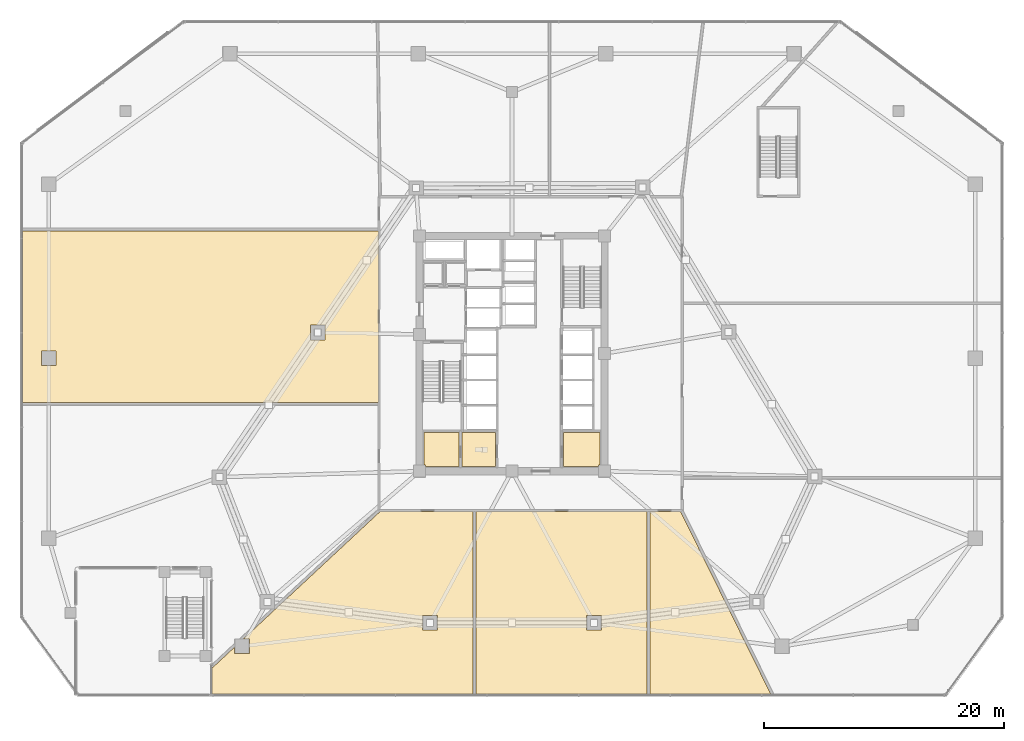
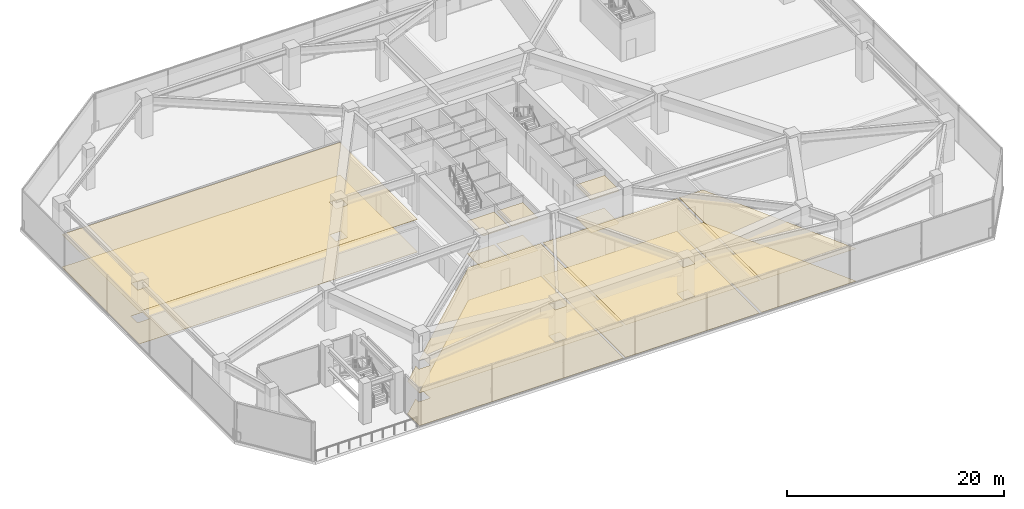
# One storey, part 18 of 23: 14 coverings.
"""IFC4 building model written with IfcOpenShell, lengths in metres."""

import ifcopenshell
import ifcopenshell.guid

model = None  # the IFC model being written
_history = None  # IfcOwnerHistory: only IFC2X3 demands one
_inside = {}  # id of a spatial element -> (the spatial element, [elements in it])
_under = {}  # id of a project, library or spatial element -> (it, [spatial elements below it])
_declared = {}  # id of a project -> (the project, [libraries it declares])
_typed = {}  # id of a type object -> (the type object, [elements of that type])
_made_of = {}  # id of a material, layer set ... -> (it, [elements and type objects made of it])


def new_model(schema):
    """Start an empty IFC model of exactly this schema.

    Asked for "IFC4X3", IfcOpenShell would pick the latest addendum, in which some entities
    have other attributes; the version numbers below select the first issue.
    IFC2X3 requires an IfcOwnerHistory on every rooted entity: one is made here for all.
    """
    global model, _history
    if schema == "IFC4X3":
        model = ifcopenshell.file(schema_version=(4, 3, 0, 0))
    else:
        model = ifcopenshell.file(schema=schema)
    _inside.clear()
    _under.clear()
    _declared.clear()
    _typed.clear()
    _made_of.clear()
    _history = None
    if model.schema == "IFC2X3":
        org = make("IfcOrganization", Name="unknown")
        user = make(
            "IfcPersonAndOrganization",
            ThePerson=make("IfcPerson", FamilyName="unknown"),
            TheOrganization=org,
        )
        app = make(
            "IfcApplication",
            ApplicationDeveloper=org,
            Version="unknown",
            ApplicationFullName="unknown",
            ApplicationIdentifier="unknown",
        )
        _history = make(
            "IfcOwnerHistory",
            OwningUser=user,
            OwningApplication=app,
            ChangeAction="ADDED",
            CreationDate=0,
        )
    return model


def make(cls, **values):
    """One entity of the class cls with the attributes given. An attribute that is None is left unset."""
    return model.create_entity(
        cls, **{name: value for name, value in values.items() if value is not None}
    )


def rooted(cls, **values):
    """An entity with a GlobalId (a new one), such as an element, a storey or a relation."""
    return make(cls, GlobalId=ifcopenshell.guid.new(), OwnerHistory=_history, **values)


def si_unit(unit_type, name, prefix=None):
    """IfcSIUnit, for example si_unit("LENGTHUNIT", "METRE", prefix="MILLI")."""
    return make("IfcSIUnit", UnitType=unit_type, Prefix=prefix, Name=name)


def assignment(units):
    """IfcUnitAssignment: the units of a project."""
    return None if units is None else make("IfcUnitAssignment", Units=units)


def point(xyz):
    """IfcCartesianPoint."""
    return None if xyz is None else make("IfcCartesianPoint", Coordinates=xyz)


def direction(xyz):
    """IfcDirection."""
    return None if xyz is None else make("IfcDirection", DirectionRatios=xyz)


def frame(location, z_axis=None, x_axis=None):
    """IfcAxis2Placement3D, a coordinate frame: its origin and axes. An axis left out is left unset."""
    return make(
        "IfcAxis2Placement3D",
        Location=point(location),
        Axis=direction(z_axis),
        RefDirection=direction(x_axis),
    )


def origin():
    """The frame at (0, 0, 0) with its axes left unset."""
    return frame((0.0, 0.0, 0.0))


def place(relative_to, where):
    """IfcLocalPlacement: puts the frame where relative to a parent placement (None: the world)."""
    return make(
        "IfcLocalPlacement", PlacementRelTo=relative_to, RelativePlacement=where
    )


def context(
    kind, dimensions, precision=None, world=None, true_north=None, identifier=None
):
    """IfcGeometricRepresentationContext, for example the 3D "Model" context."""
    return make(
        "IfcGeometricRepresentationContext",
        ContextIdentifier=identifier,
        ContextType=kind,
        CoordinateSpaceDimension=dimensions,
        Precision=precision,
        WorldCoordinateSystem=world,
        TrueNorth=true_north,
    )


def subcontext(parent, identifier, kind, view, scale=None):
    """IfcGeometricRepresentationSubContext, for example "Body" below "Model"."""
    return make(
        "IfcGeometricRepresentationSubContext",
        ContextIdentifier=identifier,
        ContextType=kind,
        ParentContext=parent,
        TargetScale=scale,
        TargetView=view,
    )


def project(units=None, contexts=None):
    """IfcProject with its units and contexts."""
    return rooted(
        "IfcProject",
        Name="project",
        RepresentationContexts=contexts,
        UnitsInContext=assignment(units),
    )


def spatial(cls, under=None, at=None, **own):
    """A site, building, storey or space (cls), placed at a placement, below another one or the project."""
    s = rooted(cls, ObjectPlacement=at, **own)
    if under is not None:
        _under.setdefault(under.id(), (under, []))[1].append(s)
    return s


def polyline(points):
    """IfcPolyline through the points."""
    return make("IfcPolyline", Points=[point(p) for p in points])


def outline(outer, holes=None, kind="AREA"):
    """IfcArbitraryClosedProfileDef: a profile drawn as a closed curve; with holes, ...WithVoids."""
    if holes is None:
        return make("IfcArbitraryClosedProfileDef", ProfileType=kind, OuterCurve=outer)
    return make(
        "IfcArbitraryProfileDefWithVoids",
        ProfileType=kind,
        OuterCurve=outer,
        InnerCurves=holes,
    )


def extrude(swept, where, along, depth):
    """IfcExtrudedAreaSolid: the profile swept, set in the frame where, extruded along a direction by depth."""
    return make(
        "IfcExtrudedAreaSolid",
        SweptArea=swept,
        Position=where,
        ExtrudedDirection=direction(along),
        Depth=depth,
    )


def shape(context_of_items, identifier, shape_type, items):
    """IfcShapeRepresentation: the items that make up one representation, for example the "Body"."""
    return make(
        "IfcShapeRepresentation",
        ContextOfItems=context_of_items,
        RepresentationIdentifier=identifier,
        RepresentationType=shape_type,
        Items=items,
    )


def material(Name=None, Category=None):
    """IfcMaterial."""
    return make("IfcMaterial", Name=Name, Category=Category)


def layer(
    of_material, thickness, ventilated=None, Name=None, Category=None, Priority=None
):
    """IfcMaterialLayer: one layer of a wall or slab, of a material (None: an air gap)."""
    return make(
        "IfcMaterialLayer",
        Material=of_material,
        LayerThickness=thickness,
        IsVentilated=ventilated,
        Name=Name,
        Category=Category,
        Priority=Priority,
    )


def layer_set(layers, Name=None):
    """IfcMaterialLayerSet."""
    return make("IfcMaterialLayerSet", MaterialLayers=layers, LayerSetName=Name)


def made_of(thing, what):
    """Note that an element or type object is made of a material, layer set ...; save() writes the relation."""
    if what is not None:
        _made_of.setdefault(what.id(), (what, []))[1].append(thing)
    return thing


def type_object(cls, material=None, **own):
    """A type object (cls), such as IfcWallType, which elements share."""
    return made_of(rooted(cls, **own), material)


def element(
    cls,
    number,
    at=None,
    inside=None,
    cuts=None,
    type_object=None,
    material=None,
    context=None,
    identifier="Body",
    shape_type=None,
    held_by="IfcProductDefinitionShape",
    body=None,
    shapes=None,
    **own,
):
    """One element of the class cls, such as IfcWall. Its Tag is "e" and its number.

    at: its placement. inside: the storey or other place that contains it. cuts: it is an
    opening in that element (IfcRelVoidsElement). A single representation is given by context,
    identifier, shape_type and body (its items); several are given by shapes. held_by: the class
    of the entity that holds the representations. save() writes the other relations.
    """
    e = rooted(cls, Tag="e%d" % number, ObjectPlacement=at, **own)
    if body is not None:
        shapes = [shape(context, identifier, shape_type, body)]
    if shapes is not None:
        e.Representation = make(held_by, Representations=shapes)
    if inside is not None:
        _inside.setdefault(inside.id(), (inside, []))[1].append(e)
    if cuts is not None:
        rooted(
            "IfcRelVoidsElement", RelatingBuildingElement=cuts, RelatedOpeningElement=e
        )
    if type_object is not None:
        _typed.setdefault(type_object.id(), (type_object, []))[1].append(e)
    return made_of(e, material)


def aggregate(whole, parts):
    """IfcRelAggregates: a whole, such as a stair, and the parts it consists of."""
    return rooted("IfcRelAggregates", RelatingObject=whole, RelatedObjects=parts)


def save(model, path):
    """Write the relations noted so far, then the file.

    IfcRelAggregates (storeys below a building ...), IfcRelContainedInSpatialStructure (elements
    in a storey), IfcRelDefinesByType, IfcRelAssociatesMaterial and IfcRelDeclares: one each for
    every whole, place, type object, material and project.
    """
    for whole, parts in _under.values():
        aggregate(whole, parts)
    for where, things in _inside.values():
        rooted(
            "IfcRelContainedInSpatialStructure",
            RelatedElements=things,
            RelatingStructure=where,
        )
    for kind, things in _typed.values():
        rooted("IfcRelDefinesByType", RelatedObjects=things, RelatingType=kind)
    for what, things in _made_of.values():
        rooted("IfcRelAssociatesMaterial", RelatedObjects=things, RelatingMaterial=what)
    for by, libraries in _declared.values():
        rooted("IfcRelDeclares", RelatingContext=by, RelatedDefinitions=libraries)
    model.write(path)


model = new_model("IFC4")

# Units and contexts
model_context = context("Model", 3, precision=1e-05, world=origin(), true_north=direction((0.0, 1.0)))
body_context = subcontext(model_context, "Body", "Model", "MODEL_VIEW")
ifc_project = project(units=[si_unit("LENGTHUNIT", "METRE"), si_unit("AREAUNIT", "SQUARE_METRE"), si_unit("VOLUMEUNIT", "CUBIC_METRE"), si_unit("PLANEANGLEUNIT", "RADIAN"), si_unit("MASSUNIT", "GRAM", prefix="KILO")], contexts=[model_context])

# Site, building, storey
site_placement = place(None, origin())
site = spatial("IfcSite", under=ifc_project, at=site_placement, CompositionType="ELEMENT")
building_placement = place(site_placement, origin())
building = spatial("IfcBuilding", under=site, at=building_placement, Name="Savorim Split Tower", CompositionType="ELEMENT")
storey_placement = place(building_placement, frame((0.0, 0.0, 21.800048828125)))
storey = spatial("IfcBuildingStorey", under=building, at=storey_placement, Name="L05", CompositionType="ELEMENT", Elevation=21.800048828125)

# Coverings
ifc_material_1 = material(Name="Mineral Fibre Acoustic Ceiling")
ifc_layer_1 = layer(ifc_material_1, 0.02490234375)
ifc_layer_set_1 = layer_set([ifc_layer_1], Name="COV-CEIL-25")
covering_type_1 = type_object("IfcCoveringType", Name="COV-CEIL-25", PredefinedType="CEILING", material=ifc_layer_set_1)
covering_1_placement = place(storey_placement, frame((0.0, 0.0, 3.669921875)))
element("IfcCovering", 1, at=covering_1_placement, inside=storey, type_object=covering_type_1, Name="L05 Housekeeping Store Acoustic Ceiling", PredefinedType="CEILING", context=body_context, shape_type="SweptSolid", body=[
    extrude(outline(polyline([(-4.429931640625, -6.179931640625), (-7.320068359375, -6.179931640625), (-7.320068359375, -8.889892578125), (-7.18994140625, -8.889892578125), (-7.18994140625, -9.02001953125), (-4.429931640625, -9.02001953125), (-4.429931640625, -6.179931640625)])), origin(), (0.0, 0.0, 1.0), 0.025146484375),
])
covering_2_placement = place(storey_placement, frame((0.0, 0.0, 3.669921875)))
element("IfcCovering", 2, at=covering_2_placement, inside=storey, type_object=covering_type_1, Name="L05 Accessible WC Acoustic Ceiling", PredefinedType="CEILING", context=body_context, shape_type="SweptSolid", body=[
    extrude(outline(polyline([(-4.169921875, -6.179931640625), (-4.169921875, -9.02001953125), (-1.3798828125, -9.02001953125), (-1.3798828125, -6.179931640625), (-4.169921875, -6.179931640625)])), origin(), (0.0, 0.0, 1.0), 0.025146484375),
])
covering_3_placement = place(storey_placement, frame((0.0, 0.0, 3.669921875)))
element("IfcCovering", 3, at=covering_3_placement, inside=storey, type_object=covering_type_1, Name="L05 Core IT Server Room Acoustic Ceiling", PredefinedType="CEILING", context=body_context, shape_type="SweptSolid", body=[
    extrude(outline(polyline([(4.280029296875, -6.179931640625), (4.280029296875, -9.02001953125), (7.18994140625, -9.02001953125), (7.18994140625, -8.889892578125), (7.320068359375, -8.889892578125), (7.320068359375, -6.179931640625), (4.280029296875, -6.179931640625)])), origin(), (0.0, 0.0, 1.0), 0.025146484375),
])
covering_4_placement = place(storey_placement, frame((0.0, 0.0, 3.669921875)))
element("IfcCovering", 4, at=covering_4_placement, inside=storey, type_object=covering_type_1, Name="L05 Chiller Plant Room 1 Acoustic Ceiling", PredefinedType="CEILING", context=body_context, shape_type="SweptSolid", body=[
    extrude(outline(polyline([(-24.93603515625, -25.75537109375), (-24.97998046875, -25.708251953125), (-24.97998046875, -27.97998046875), (-3.24755859375, -27.97998046875), (-3.24755859375, -12.739990234375), (-10.967041015625, -12.739990234375), (-22.397216796875, -23.389892578125), (-21.889892578125, -23.389892578125), (-21.889892578125, -24.610107421875), (-23.110107421875, -24.610107421875), (-23.110107421875, -24.05419921875), (-24.84814453125, -25.673583984375), (-24.93603515625, -25.75537109375)]), holes=[polyline([(-6.2216796875, -21.421875), (-7.44189453125, -21.421875), (-7.44189453125, -22.641845703125), (-6.2216796875, -22.641845703125), (-6.2216796875, -21.421875)])]), origin(), (0.0, 0.0, 1.0), 0.025146484375),
])
covering_5_placement = place(storey_placement, frame((0.0, 0.0, 3.669921875)))
element("IfcCovering", 5, at=covering_5_placement, inside=storey, type_object=covering_type_1, Name="L05 Booster Pump Plant Room 1 Acoustic Ceiling", PredefinedType="CEILING", context=body_context, shape_type="SweptSolid", body=[
    extrude(outline(polyline([(-3.007568359375, -12.739990234375), (-3.007568359375, -27.929931640625), (-3.007568359375, -27.97998046875), (11.26611328125, -27.97998046875), (11.26611328125, -12.739990234375), (-3.007568359375, -12.739990234375)]), holes=[polyline([(6.2216796875, -21.421875), (6.2216796875, -22.641845703125), (7.44189453125, -22.641845703125), (7.44189453125, -21.421875), (6.2216796875, -21.421875)])]), origin(), (0.0, 0.0, 1.0), 0.025146484375),
])
covering_6_placement = place(storey_placement, frame((0.0, 0.0, 3.669921875)))
element("IfcCovering", 6, at=covering_6_placement, inside=storey, type_object=covering_type_1, Name="L05 Heat Exchanger Plant Room Acoustic Ceiling", PredefinedType="CEILING", context=body_context, shape_type="SweptSolid", body=[
    extrude(outline(polyline([(11.506103515625, -12.739990234375), (11.506103515625, -27.929931640625), (11.506103515625, -27.97998046875), (21.5693359375, -27.97998046875), (14.058349609375, -12.7763671875), (14.040283203125, -12.739990234375), (11.506103515625, -12.739990234375)])), origin(), (0.0, 0.0, 1.0), 0.025146484375),
])
covering_7_placement = place(storey_placement, frame((0.0, 0.0, 3.669921875)))
element("IfcCovering", 7, at=covering_7_placement, inside=storey, type_object=covering_type_1, Name="L05 Smoke Extract Fan Plant Room Acoustic Ceiling", PredefinedType="CEILING", context=body_context, shape_type="SweptSolid", body=[
    extrude(outline(polyline([(-11.139892578125, 10.6328125), (-40.72998046875, 10.6328125), (-40.780029296875, 10.6328125), (-40.780029296875, -3.673095703125), (-11.139892578125, -3.673095703125), (-11.139892578125, 10.6328125)]), holes=[polyline([(-37.989990234375, 0.610107421875), (-39.2099609375, 0.610107421875), (-39.2099609375, -0.610107421875), (-37.989990234375, -0.610107421875), (-37.989990234375, 0.610107421875)]), polyline([(-15.57861328125, 1.543701171875), (-15.57861328125, 2.763671875), (-16.798583984375, 2.763671875), (-16.798583984375, 1.543701171875), (-15.57861328125, 1.543701171875)])]), origin(), (0.0, 0.0, 1.0), 0.025146484375),
])
ifc_material_2 = material(Name="Porcelain Stoneware Flooring", Category="masonry")
ifc_layer_2 = layer(ifc_material_2, 0.02001953125)
ifc_layer_set_2 = layer_set([ifc_layer_2], Name="COV-FLOR-20")
covering_type_2 = type_object("IfcCoveringType", Name="COV-FLOR-20", PredefinedType="FLOORING", material=ifc_layer_set_2)
covering_8_placement = place(storey_placement, origin())
element("IfcCovering", 8, at=covering_8_placement, inside=storey, type_object=covering_type_2, Name="L05 Housekeeping Store Porcelain Flooring", PredefinedType="FLOORING", context=body_context, shape_type="SweptSolid", body=[
    extrude(outline(polyline([(-4.429931640625, -6.179931640625), (-7.320068359375, -6.179931640625), (-7.320068359375, -8.889892578125), (-7.18994140625, -8.889892578125), (-7.18994140625, -9.02001953125), (-4.429931640625, -9.02001953125), (-4.429931640625, -6.179931640625)])), origin(), (0.0, 0.0, 1.0), 0.02001953125),
])
covering_9_placement = place(storey_placement, origin())
element("IfcCovering", 9, at=covering_9_placement, inside=storey, type_object=covering_type_2, Name="L05 Accessible WC Porcelain Flooring", PredefinedType="FLOORING", context=body_context, shape_type="SweptSolid", body=[
    extrude(outline(polyline([(-4.169921875, -6.179931640625), (-4.169921875, -9.02001953125), (-1.3798828125, -9.02001953125), (-1.3798828125, -6.179931640625), (-4.169921875, -6.179931640625)])), origin(), (0.0, 0.0, 1.0), 0.02001953125),
])
covering_10_placement = place(storey_placement, origin())
element("IfcCovering", 10, at=covering_10_placement, inside=storey, type_object=covering_type_2, Name="L05 Core IT Server Room Porcelain Flooring", PredefinedType="FLOORING", context=body_context, shape_type="SweptSolid", body=[
    extrude(outline(polyline([(4.280029296875, -6.179931640625), (4.280029296875, -9.02001953125), (7.18994140625, -9.02001953125), (7.18994140625, -8.889892578125), (7.320068359375, -8.889892578125), (7.320068359375, -6.179931640625), (4.280029296875, -6.179931640625)])), origin(), (0.0, 0.0, 1.0), 0.02001953125),
])
covering_11_placement = place(storey_placement, origin())
element("IfcCovering", 11, at=covering_11_placement, inside=storey, type_object=covering_type_2, Name="L05 Chiller Plant Room 1 Porcelain Flooring", PredefinedType="FLOORING", context=body_context, shape_type="SweptSolid", body=[
    extrude(outline(polyline([(-24.93603515625, -25.75537109375), (-24.97998046875, -25.708251953125), (-24.97998046875, -27.97998046875), (-3.24755859375, -27.97998046875), (-3.24755859375, -12.739990234375), (-10.967041015625, -12.739990234375), (-22.397216796875, -23.389892578125), (-21.889892578125, -23.389892578125), (-21.889892578125, -24.610107421875), (-23.110107421875, -24.610107421875), (-23.110107421875, -24.05419921875), (-24.84814453125, -25.673583984375), (-24.93603515625, -25.75537109375)]), holes=[polyline([(-6.2216796875, -21.421875), (-7.44189453125, -21.421875), (-7.44189453125, -22.641845703125), (-6.2216796875, -22.641845703125), (-6.2216796875, -21.421875)])]), origin(), (0.0, 0.0, 1.0), 0.02001953125),
])
covering_12_placement = place(storey_placement, origin())
element("IfcCovering", 12, at=covering_12_placement, inside=storey, type_object=covering_type_2, Name="L05 Booster Pump Plant Room 1 Porcelain Flooring", PredefinedType="FLOORING", context=body_context, shape_type="SweptSolid", body=[
    extrude(outline(polyline([(-3.007568359375, -12.739990234375), (-3.007568359375, -27.929931640625), (-3.007568359375, -27.97998046875), (11.26611328125, -27.97998046875), (11.26611328125, -12.739990234375), (-3.007568359375, -12.739990234375)]), holes=[polyline([(6.2216796875, -21.421875), (6.2216796875, -22.641845703125), (7.44189453125, -22.641845703125), (7.44189453125, -21.421875), (6.2216796875, -21.421875)])]), origin(), (0.0, 0.0, 1.0), 0.02001953125),
])
covering_13_placement = place(storey_placement, origin())
element("IfcCovering", 13, at=covering_13_placement, inside=storey, type_object=covering_type_2, Name="L05 Heat Exchanger Plant Room Porcelain Flooring", PredefinedType="FLOORING", context=body_context, shape_type="SweptSolid", body=[
    extrude(outline(polyline([(11.506103515625, -12.739990234375), (11.506103515625, -27.929931640625), (11.506103515625, -27.97998046875), (21.5693359375, -27.97998046875), (14.058349609375, -12.7763671875), (14.040283203125, -12.739990234375), (11.506103515625, -12.739990234375)])), origin(), (0.0, 0.0, 1.0), 0.02001953125),
])
covering_14_placement = place(storey_placement, origin())
element("IfcCovering", 14, at=covering_14_placement, inside=storey, type_object=covering_type_2, Name="L05 Smoke Extract Fan Plant Room Porcelain Flooring", PredefinedType="FLOORING", context=body_context, shape_type="SweptSolid", body=[
    extrude(outline(polyline([(-11.139892578125, 10.6328125), (-40.72998046875, 10.6328125), (-40.780029296875, 10.6328125), (-40.780029296875, -3.673095703125), (-11.139892578125, -3.673095703125), (-11.139892578125, 10.6328125)]), holes=[polyline([(-37.989990234375, 0.610107421875), (-39.2099609375, 0.610107421875), (-39.2099609375, -0.610107421875), (-37.989990234375, -0.610107421875), (-37.989990234375, 0.610107421875)]), polyline([(-15.57861328125, 1.543701171875), (-15.57861328125, 2.763671875), (-16.798583984375, 2.763671875), (-16.798583984375, 1.543701171875), (-15.57861328125, 1.543701171875)])]), origin(), (0.0, 0.0, 1.0), 0.02001953125),
])

save(model, "model.ifc")
